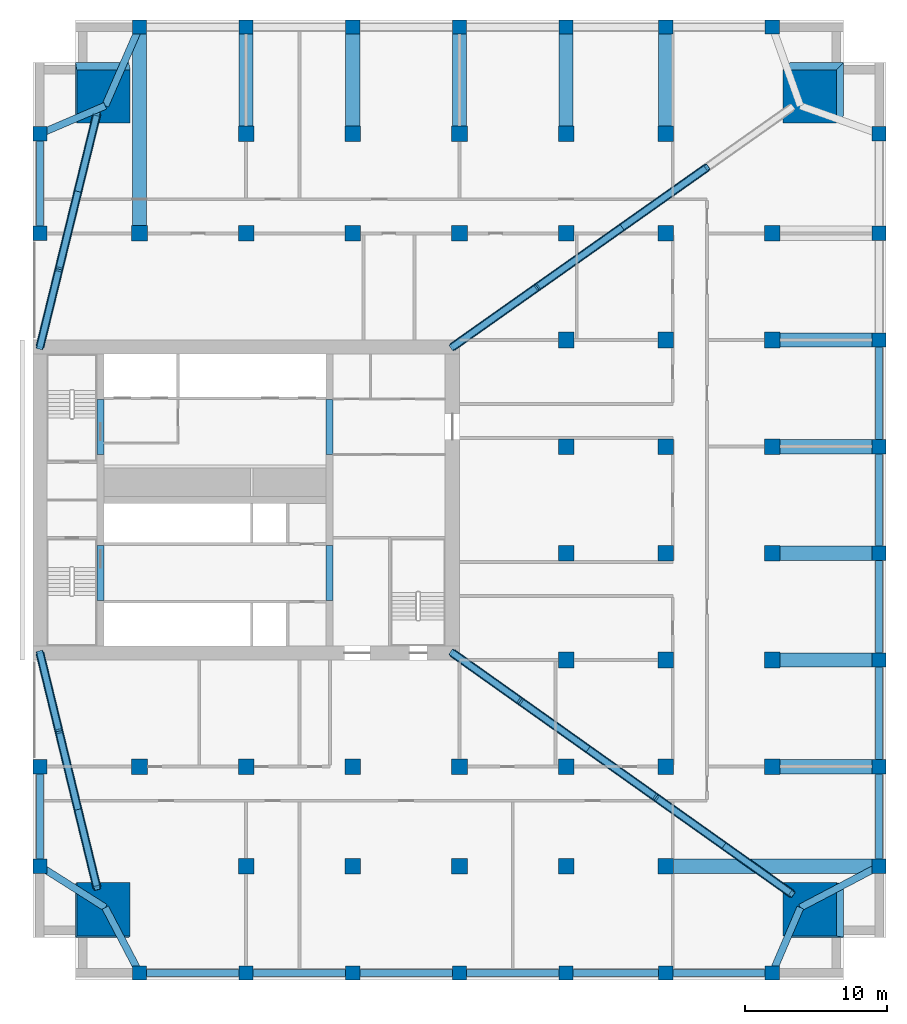
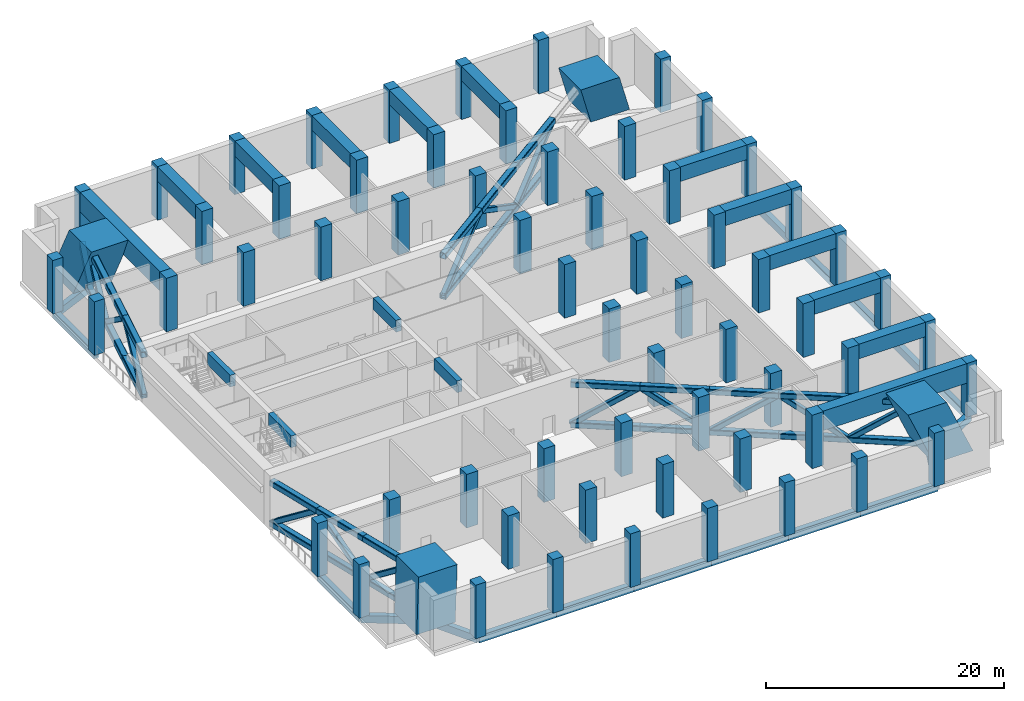
# One storey, part 1 of 10: 66 columns, 42 members, 35 beams.
"""IFC4 building model written with IfcOpenShell, lengths in metres."""

from ifc_helpers import new_model, si_unit, direction, frame, origin, origin_2d, place, context, subcontext, project, spatial, rectangle, hollow_rectangle, extrude, material, material_profile, profile_set, type_object, element, save


model = new_model("IFC4")

# Units and contexts
model_context = context("Model", 3, precision=1e-05, world=origin(), true_north=direction((0.0, 1.0)))
body_context = subcontext(model_context, "Body", "Model", "MODEL_VIEW")
ifc_project = project(units=[si_unit("LENGTHUNIT", "METRE"), si_unit("AREAUNIT", "SQUARE_METRE"), si_unit("VOLUMEUNIT", "CUBIC_METRE"), si_unit("PLANEANGLEUNIT", "RADIAN"), si_unit("MASSUNIT", "GRAM", prefix="KILO")], contexts=[model_context])

# Site, building, storey
site_placement = place(None, origin())
site = spatial("IfcSite", under=ifc_project, at=site_placement, CompositionType="ELEMENT")
building_placement = place(site_placement, origin())
building = spatial("IfcBuilding", under=site, at=building_placement, Name="Tamorin Gate", CompositionType="ELEMENT")
storey_placement = place(building_placement, frame((0.0, 0.0, 118.699951171875)))
storey = spatial("IfcBuildingStorey", under=building, at=storey_placement, Name="L29", CompositionType="ELEMENT", Elevation=118.699951171875)

# Columns
ifc_material_1 = material(Name="Concrete C80/95", Category="concrete")
ifc_material_profile_1 = material_profile(ifc_material_1, rectangle(XDim=1.0, YDim=1.0, at=origin_2d()), Name="RC 1000x1000")
ifc_profile_set_1 = profile_set([ifc_material_profile_1], Name="Concrete C80/95")
column_type_1 = type_object("IfcColumnType", Name="RC column 1000x1000 C80/95", PredefinedType="COLUMN", material=ifc_profile_set_1)
for number, where, z_axis, x_axis, name in (
    (1, (30.5, 45.5, 0.0), (0.0, 0.0, 1.0), (1.0, 0.0, 0.0), "Ring column L29"),
    (2, (30.5, 52.5, 0.0), (0.0, 0.0, 1.0), (1.0, 0.0, 0.0), "Ring column L29"),
    (3, (30.5, 90.0, 0.0), (0.0, 0.0, 1.0), (1.0, 0.0, 0.0), "Ring column L29"),
    (4, (30.5, 97.0, 0.0), (0.0, 0.0, 1.0), (1.0, 0.0, 0.0), "Ring column L29"),
    (5, (37.5, 38.0, 0.0), (0.0, 0.0, 1.0), (1.0, 0.0, 0.0), "Ring column L29"),
    (6, (37.5, 104.5, 0.0), (0.0, 0.0, 1.0), (1.0, 0.0, 0.0), "Ring column L29"),
    (7, (45.0, 38.0, 0.0), (0.0, 0.0, 1.0), (1.0, 0.0, 0.0), "Ring column L29"),
    (8, (45.0, 104.5, 0.0), (0.0, 0.0, 1.0), (1.0, 0.0, 0.0), "Ring column L29"),
    (9, (52.5, 38.0, 0.0), (0.0, 0.0, 1.0), (1.0, 0.0, 0.0), "Ring column L29"),
    (10, (52.5, 104.5, 0.0), (0.0, 0.0, 1.0), (1.0, 0.0, 0.0), "Ring column L29"),
    (11, (60.0, 38.0, 0.0), (0.0, 0.0, 1.0), (1.0, 0.0, 0.0), "Ring column L29"),
    (12, (60.0, 104.5, 0.0), (0.0, 0.0, 1.0), (1.0, 0.0, 0.0), "Ring column L29"),
    (13, (67.5, 38.0, 0.0), (0.0, 0.0, 1.0), (1.0, 0.0, 0.0), "Ring column L29"),
    (14, (67.5, 104.5, 0.0), (0.0, 0.0, 1.0), (1.0, 0.0, 0.0), "Ring column L29"),
    (15, (74.5, 38.0, 0.0), (0.0, 0.0, 1.0), (1.0, 0.0, 0.0), "Ring column L29"),
    (16, (74.5, 104.5, 0.0), (0.0, 0.0, 1.0), (1.0, 0.0, 0.0), "Ring column L29"),
    (17, (82.0, 38.0, 0.0), (0.0, 0.0, 1.0), (1.0, 0.0, 0.0), "Ring column L29"),
    (18, (82.0, 104.5, 0.0), (0.0, 0.0, 1.0), (1.0, 0.0, 0.0), "Ring column L29"),
    (19, (89.5, 45.5, 0.0), (0.0, 0.0, 1.0), (1.0, 0.0, 0.0), "Ring column L29"),
    (20, (89.5, 52.5, 0.0), (0.0, 0.0, 1.0), (1.0, 0.0, 0.0), "Ring column L29"),
    (21, (89.5, 60.0, 0.0), (0.0, 0.0, 1.0), (1.0, 0.0, 0.0), "Ring column L29"),
    (22, (89.5, 67.5, 0.0), (0.0, 0.0, 1.0), (1.0, 0.0, 0.0), "Ring column L29"),
    (23, (89.5, 75.0, 0.0), (0.0, 0.0, 1.0), (1.0, 0.0, 0.0), "Ring column L29"),
    (24, (89.5, 82.5, 0.0), (0.0, 0.0, 1.0), (1.0, 0.0, 0.0), "Ring column L29"),
    (25, (89.5, 90.0, 0.0), (0.0, 0.0, 1.0), (1.0, 0.0, 0.0), "Ring column L29"),
    (26, (89.5, 97.0, 0.0), (0.0, 0.0, 1.0), (1.0, 0.0, 0.0), "Ring column L29"),
):
    element("IfcColumn", number, at=place(storey_placement, frame(where, z_axis=z_axis, x_axis=x_axis)), inside=storey, type_object=column_type_1, Name=name, PredefinedType="COLUMN", context=body_context, shape_type="SweptSolid", body=[
        extrude(rectangle(XDim=1.0, YDim=1.0, at=origin_2d()), origin(), (0.0, 0.0, 1.0), 5.5),
    ])
ifc_material_profile_2 = material_profile(ifc_material_1, rectangle(XDim=1.10009765625, YDim=1.10009765625, at=origin_2d()), Name="RC 1100x1100")
ifc_profile_set_2 = profile_set([ifc_material_profile_2], Name="Concrete C80/95")
column_type_2 = type_object("IfcColumnType", Name="RC column 1100x1100 C80/95", PredefinedType="COLUMN", material=ifc_profile_set_2)
for number, where, z_axis, x_axis, name in (
    (27, (37.5, 52.5, 0.0), (0.0, 0.0, 1.0), (1.0, 0.0, 0.0), "Interior column L29"),
    (28, (37.5, 90.0, 0.0), (0.0, 0.0, 1.0), (1.0, 0.0, 0.0), "Interior column L29"),
    (29, (45.0, 45.5, 0.0), (0.0, 0.0, 1.0), (1.0, 0.0, 0.0), "Interior column L29"),
    (30, (45.0, 52.5, 0.0), (0.0, 0.0, 1.0), (1.0, 0.0, 0.0), "Interior column L29"),
    (31, (45.0, 90.0, 0.0), (0.0, 0.0, 1.0), (1.0, 0.0, 0.0), "Interior column L29"),
    (32, (45.0, 97.0, 0.0), (0.0, 0.0, 1.0), (1.0, 0.0, 0.0), "Interior column L29"),
    (33, (52.5, 45.5, 0.0), (0.0, 0.0, 1.0), (1.0, 0.0, 0.0), "Interior column L29"),
    (34, (52.5, 52.5, 0.0), (0.0, 0.0, 1.0), (1.0, 0.0, 0.0), "Interior column L29"),
    (35, (52.5, 90.0, 0.0), (0.0, 0.0, 1.0), (1.0, 0.0, 0.0), "Interior column L29"),
    (36, (52.5, 97.0, 0.0), (0.0, 0.0, 1.0), (1.0, 0.0, 0.0), "Interior column L29"),
    (37, (60.0, 45.5, 0.0), (0.0, 0.0, 1.0), (1.0, 0.0, 0.0), "Interior column L29"),
    (38, (60.0, 52.5, 0.0), (0.0, 0.0, 1.0), (1.0, 0.0, 0.0), "Interior column L29"),
    (39, (60.0, 90.0, 0.0), (0.0, 0.0, 1.0), (1.0, 0.0, 0.0), "Interior column L29"),
    (40, (60.0, 97.0, 0.0), (0.0, 0.0, 1.0), (1.0, 0.0, 0.0), "Interior column L29"),
    (41, (67.5, 45.5, 0.0), (0.0, 0.0, 1.0), (1.0, 0.0, 0.0), "Interior column L29"),
    (42, (67.5, 52.5, 0.0), (0.0, 0.0, 1.0), (1.0, 0.0, 0.0), "Interior column L29"),
    (43, (67.5, 60.0, 0.0), (0.0, 0.0, 1.0), (1.0, 0.0, 0.0), "Interior column L29"),
    (44, (67.5, 67.5, 0.0), (0.0, 0.0, 1.0), (1.0, 0.0, 0.0), "Interior column L29"),
    (45, (67.5, 75.0, 0.0), (0.0, 0.0, 1.0), (1.0, 0.0, 0.0), "Interior column L29"),
    (46, (67.5, 82.5, 0.0), (0.0, 0.0, 1.0), (1.0, 0.0, 0.0), "Interior column L29"),
    (47, (67.5, 90.0, 0.0), (0.0, 0.0, 1.0), (1.0, 0.0, 0.0), "Interior column L29"),
    (48, (67.5, 97.0, 0.0), (0.0, 0.0, 1.0), (1.0, 0.0, 0.0), "Interior column L29"),
    (49, (74.5, 45.5, 0.0), (0.0, 0.0, 1.0), (1.0, 0.0, 0.0), "Interior column L29"),
    (50, (74.5, 52.5, 0.0), (0.0, 0.0, 1.0), (1.0, 0.0, 0.0), "Interior column L29"),
    (51, (74.5, 60.0, 0.0), (0.0, 0.0, 1.0), (1.0, 0.0, 0.0), "Interior column L29"),
    (52, (74.5, 67.5, 0.0), (0.0, 0.0, 1.0), (1.0, 0.0, 0.0), "Interior column L29"),
    (53, (74.5, 75.0, 0.0), (0.0, 0.0, 1.0), (1.0, 0.0, 0.0), "Interior column L29"),
    (54, (74.5, 82.5, 0.0), (0.0, 0.0, 1.0), (1.0, 0.0, 0.0), "Interior column L29"),
    (55, (74.5, 90.0, 0.0), (0.0, 0.0, 1.0), (1.0, 0.0, 0.0), "Interior column L29"),
    (56, (74.5, 97.0, 0.0), (0.0, 0.0, 1.0), (1.0, 0.0, 0.0), "Interior column L29"),
    (57, (82.0, 52.5, 0.0), (0.0, 0.0, 1.0), (1.0, 0.0, 0.0), "Interior column L29"),
    (58, (82.0, 60.0, 0.0), (0.0, 0.0, 1.0), (1.0, 0.0, 0.0), "Interior column L29"),
    (59, (82.0, 67.5, 0.0), (0.0, 0.0, 1.0), (1.0, 0.0, 0.0), "Interior column L29"),
    (60, (82.0, 75.0, 0.0), (0.0, 0.0, 1.0), (1.0, 0.0, 0.0), "Interior column L29"),
    (61, (82.0, 82.5, 0.0), (0.0, 0.0, 1.0), (1.0, 0.0, 0.0), "Interior column L29"),
    (62, (82.0, 90.0, 0.0), (0.0, 0.0, 1.0), (1.0, 0.0, 0.0), "Interior column L29"),
):
    element("IfcColumn", number, at=place(storey_placement, frame(where, z_axis=z_axis, x_axis=x_axis)), inside=storey, type_object=column_type_2, Name=name, PredefinedType="COLUMN", context=body_context, shape_type="SweptSolid", body=[
        extrude(rectangle(XDim=1.10009765625, YDim=1.10009765625, at=origin_2d()), origin(), (0.0, 0.0, 1.0), 5.5),
    ])
ifc_material_profile_3 = material_profile(ifc_material_1, rectangle(XDim=3.75, YDim=3.75, at=origin_2d()), Name="RC 3750x3750")
ifc_profile_set_3 = profile_set([ifc_material_profile_3], Name="Concrete C80/95")
column_type_3 = type_object("IfcColumnType", Name="RC column 3750x3750 C80/95", PredefinedType="COLUMN", material=ifc_profile_set_3)
column_1_placement = place(storey_placement, frame((34.875, 42.375, 0.0), z_axis=(0.0, 0.0, 1.0), x_axis=(1.0, 0.0, 0.0)))
element("IfcColumn", 63, at=column_1_placement, inside=storey, type_object=column_type_3, Name="Mega column SW L29", PredefinedType="COLUMN", context=body_context, shape_type="SweptSolid", body=[
    extrude(rectangle(XDim=3.75, YDim=3.75, at=origin_2d()), origin(), (0.07904685964, 0.07904685964, 0.993731949754), 5.53466796875),
])
column_2_placement = place(storey_placement, frame((85.125, 42.375, 0.0), z_axis=(0.0, 0.0, 1.0), x_axis=(0.0, 1.0, 0.0)))
element("IfcColumn", 64, at=column_2_placement, inside=storey, type_object=column_type_3, Name="Mega column SE L29", PredefinedType="COLUMN", context=body_context, shape_type="SweptSolid", body=[
    extrude(rectangle(XDim=3.75, YDim=3.75, at=origin_2d()), origin(), (0.073131233094, 0.386550803498, 0.919364073184), 5.982421875),
])
column_3_placement = place(storey_placement, frame((34.875, 100.125, 0.0), z_axis=(0.0, 0.0, 1.0), x_axis=(0.0, -1.0, 0.0)))
element("IfcColumn", 65, at=column_3_placement, inside=storey, type_object=column_type_3, Name="Mega column NW L29", PredefinedType="COLUMN", context=body_context, shape_type="SweptSolid", body=[
    extrude(rectangle(XDim=3.75, YDim=3.75, at=origin_2d()), origin(), (0.386550803498, 0.073131233094, 0.919364073184), 5.982421875),
])
column_4_placement = place(storey_placement, frame((85.125, 100.125, 0.0), z_axis=(0.0, 0.0, 1.0), x_axis=(-1.0, 0.0, 0.0)))
element("IfcColumn", 66, at=column_4_placement, inside=storey, type_object=column_type_3, Name="Mega column NE L29", PredefinedType="COLUMN", context=body_context, shape_type="SweptSolid", body=[
    extrude(rectangle(XDim=3.75, YDim=3.75, at=origin_2d()), origin(), (0.361392925226, 0.361392925226, 0.859529119456), 6.39892578125),
])

# Beams
ifc_material_profile_4 = material_profile(ifc_material_1, rectangle(XDim=0.5, YDim=1.199951171875, at=origin_2d()), Name="RC 500x1200")
ifc_profile_set_4 = profile_set([ifc_material_profile_4], Name="Concrete C80/95")
beam_type_1 = type_object("IfcBeamType", Name="RC coupling beam 500x1200 C80/95", PredefinedType="BEAM", material=ifc_profile_set_4)
for number, where, z_axis, x_axis, name in (
    (67, (34.75, 64.199951171875, 4.900146484375), (0.0, 1.0, 0.0), (-1.0, 0.0, 0.0), "Coupling beam L29"),
    (68, (34.75, 74.449951171875, 4.900146484375), (0.0, 1.0, 0.0), (-1.0, 0.0, 0.0), "Coupling beam L29"),
    (69, (50.85009765625, 64.199951171875, 4.900146484375), (0.0, 1.0, 0.0), (-1.0, 0.0, 0.0), "Coupling beam L29"),
    (70, (50.85009765625, 74.449951171875, 4.900146484375), (0.0, 1.0, 0.0), (-1.0, 0.0, 0.0), "Coupling beam L29"),
):
    element("IfcBeam", number, at=place(storey_placement, frame(where, z_axis=z_axis, x_axis=x_axis)), inside=storey, type_object=beam_type_1, Name=name, PredefinedType="BEAM", context=body_context, shape_type="SweptSolid", body=[
        extrude(rectangle(XDim=0.5, YDim=1.199951171875, at=origin_2d()), origin(), (0.0, 0.0, 1.0), 3.85009765625),
    ])
ifc_material_2 = material(Name="Concrete C50/60", Category="concrete")
ifc_material_profile_5 = material_profile(ifc_material_2, rectangle(XDim=0.5, YDim=0.75, at=origin_2d()), Name="RC 500x750")
ifc_profile_set_5 = profile_set([ifc_material_profile_5], Name="Concrete C50/60")
beam_type_2 = type_object("IfcBeamType", Name="RC spandrel 500x750 C50/60", PredefinedType="BEAM", material=ifc_profile_set_5)
for number, where, z_axis, x_axis, name in (
    (71, (37.5, 38.0, -0.375), (1.0, 0.0, 0.0), (0.0, 1.0, 0.0), "Spandrel beam L29"),
    (72, (45.0, 38.0, -0.375), (1.0, 0.0, 0.0), (0.0, 1.0, 0.0), "Spandrel beam L29"),
    (73, (52.5, 38.0, -0.375), (1.0, 0.0, 0.0), (0.0, 1.0, 0.0), "Spandrel beam L29"),
    (74, (60.0, 38.0, -0.375), (1.0, 0.0, 0.0), (0.0, 1.0, 0.0), "Spandrel beam L29"),
):
    element("IfcBeam", number, at=place(storey_placement, frame(where, z_axis=z_axis, x_axis=x_axis)), inside=storey, type_object=beam_type_2, Name=name, PredefinedType="BEAM", context=body_context, shape_type="SweptSolid", body=[
        extrude(rectangle(XDim=0.5, YDim=0.75, at=origin_2d()), origin(), (0.0, 0.0, 1.0), 7.5),
    ])
beam_1_placement = place(storey_placement, frame((67.5, 38.0, -0.375), z_axis=(1.0, 0.0, 0.0), x_axis=(0.0, 1.0, 0.0)))
element("IfcBeam", 75, at=beam_1_placement, inside=storey, type_object=beam_type_2, Name="Spandrel beam L29", PredefinedType="BEAM", context=body_context, shape_type="SweptSolid", body=[
    extrude(rectangle(XDim=0.5, YDim=0.75, at=origin_2d()), origin(), (0.0, 0.0, 1.0), 7.0),
])
beam_2_placement = place(storey_placement, frame((74.5, 38.0, -0.375), z_axis=(1.0, 0.0, 0.0), x_axis=(0.0, 1.0, 0.0)))
element("IfcBeam", 76, at=beam_2_placement, inside=storey, type_object=beam_type_2, Name="Spandrel beam L29", PredefinedType="BEAM", context=body_context, shape_type="SweptSolid", body=[
    extrude(rectangle(XDim=0.5, YDim=0.75, at=origin_2d()), origin(), (0.0, 0.0, 1.0), 7.5),
])
beam_3_placement = place(storey_placement, frame((89.5, 45.5, -0.375), z_axis=(0.0, 1.0, 0.0), x_axis=(-1.0, 0.0, 0.0)))
element("IfcBeam", 77, at=beam_3_placement, inside=storey, type_object=beam_type_2, Name="Spandrel beam L29", PredefinedType="BEAM", context=body_context, shape_type="SweptSolid", body=[
    extrude(rectangle(XDim=0.5, YDim=0.75, at=origin_2d()), origin(), (0.0, 0.0, 1.0), 7.0),
])
for number, where, z_axis, x_axis, name in (
    (78, (89.5, 52.5, -0.375), (0.0, 1.0, 0.0), (-1.0, 0.0, 0.0), "Spandrel beam L29"),
    (79, (89.5, 60.0, -0.375), (0.0, 1.0, 0.0), (-1.0, 0.0, 0.0), "Spandrel beam L29"),
    (80, (89.5, 67.5, -0.375), (0.0, 1.0, 0.0), (-1.0, 0.0, 0.0), "Spandrel beam L29"),
    (81, (89.5, 75.0, -0.375), (0.0, 1.0, 0.0), (-1.0, 0.0, 0.0), "Spandrel beam L29"),
):
    element("IfcBeam", number, at=place(storey_placement, frame(where, z_axis=z_axis, x_axis=x_axis)), inside=storey, type_object=beam_type_2, Name=name, PredefinedType="BEAM", context=body_context, shape_type="SweptSolid", body=[
        extrude(rectangle(XDim=0.5, YDim=0.75, at=origin_2d()), origin(), (0.0, 0.0, 1.0), 7.5),
    ])
for number, where, z_axis, x_axis, name in (
    (82, (30.5, 97.0, -0.375), (0.0, -1.0, 0.0), (1.0, 0.0, 0.0), "Spandrel beam L29"),
    (83, (30.5, 52.5, -0.375), (0.0, -1.0, 0.0), (1.0, 0.0, 0.0), "Spandrel beam L29"),
):
    element("IfcBeam", number, at=place(storey_placement, frame(where, z_axis=z_axis, x_axis=x_axis)), inside=storey, type_object=beam_type_2, Name=name, PredefinedType="BEAM", context=body_context, shape_type="SweptSolid", body=[
        extrude(rectangle(XDim=0.5, YDim=0.75, at=origin_2d()), origin(), (0.0, 0.0, 1.0), 7.0),
    ])
beam_4_placement = place(storey_placement, frame((35.09375, 42.59375, -0.375), z_axis=(0.464006994671, -0.88583153528, 0.0), x_axis=(0.88583153528, 0.464006994671, 0.0)))
element("IfcBeam", 84, at=beam_4_placement, inside=storey, type_object=beam_type_2, Name="Corner tie beam L29", PredefinedType="BEAM", context=body_context, shape_type="SweptSolid", body=[
    extrude(rectangle(XDim=0.5, YDim=0.75, at=origin_2d()), origin(), (0.0, 0.0, 1.0), 5.185791015625),
])
beam_5_placement = place(storey_placement, frame((35.09375, 42.59375, -0.375), z_axis=(-0.845078836052, 0.534641712604, 0.0), x_axis=(-0.534641712604, -0.845078836052, 0.0)))
element("IfcBeam", 85, at=beam_5_placement, inside=storey, type_object=beam_type_2, Name="Corner tie beam L29", PredefinedType="BEAM", context=body_context, shape_type="SweptSolid", body=[
    extrude(rectangle(XDim=0.5, YDim=0.75, at=origin_2d()), origin(), (0.0, 0.0, 1.0), 5.435791015625),
])
beam_6_placement = place(storey_placement, frame((83.96875, 42.59375, -0.375), z_axis=(-0.393919298579, -0.919145030018, 0.0), x_axis=(0.919145030018, -0.393919298579, 0.0)))
element("IfcBeam", 86, at=beam_6_placement, inside=storey, type_object=beam_type_2, Name="Corner tie beam L29", PredefinedType="BEAM", context=body_context, shape_type="SweptSolid", body=[
    extrude(rectangle(XDim=0.5, YDim=0.75, at=origin_2d()), origin(), (0.0, 0.0, 1.0), 4.997802734375),
])
beam_7_placement = place(storey_placement, frame((83.96875, 42.59375, -0.375), z_axis=(0.885243475438, 0.465127927773, 0.0), x_axis=(-0.465127927773, 0.885243475438, 0.0)))
element("IfcBeam", 87, at=beam_7_placement, inside=storey, type_object=beam_type_2, Name="Corner tie beam L29", PredefinedType="BEAM", context=body_context, shape_type="SweptSolid", body=[
    extrude(rectangle(XDim=0.5, YDim=0.75, at=origin_2d()), origin(), (0.0, 0.0, 1.0), 6.248291015625),
])
beam_8_placement = place(storey_placement, frame((35.09375, 98.96875, -0.375), z_axis=(-0.919145030018, -0.393919298579, 0.0), x_axis=(0.393919298579, -0.919145030018, 0.0)))
element("IfcBeam", 88, at=beam_8_placement, inside=storey, type_object=beam_type_2, Name="Corner tie beam L29", PredefinedType="BEAM", context=body_context, shape_type="SweptSolid", body=[
    extrude(rectangle(XDim=0.5, YDim=0.75, at=origin_2d()), origin(), (0.0, 0.0, 1.0), 4.997802734375),
])
beam_9_placement = place(storey_placement, frame((35.09375, 98.96875, -0.375), z_axis=(0.398915541048, 0.916987672278, 0.0), x_axis=(-0.916987672278, 0.398915541048, 0.0)))
element("IfcBeam", 89, at=beam_9_placement, inside=storey, type_object=beam_type_2, Name="Corner tie beam L29", PredefinedType="BEAM", context=body_context, shape_type="SweptSolid", body=[
    extrude(rectangle(XDim=0.5, YDim=0.75, at=origin_2d()), origin(), (0.0, 0.0, 1.0), 6.031982421875),
])
ifc_material_3 = material(Name="Concrete C60/75", Category="concrete")
ifc_material_profile_6 = material_profile(ifc_material_3, rectangle(XDim=1.0, YDim=1.5, at=origin_2d()), Name="RC 1000x1500")
ifc_profile_set_6 = profile_set([ifc_material_profile_6], Name="Concrete C60/75")
beam_type_3 = type_object("IfcBeamType", Name="RC transfer girder 1000x1500 C60/75", PredefinedType="BEAM", material=ifc_profile_set_6)
for number, where, z_axis, x_axis, name in (
    (90, (45.0, 97.0, 4.75), (0.0, 1.0, 0.0), (-1.0, 0.0, 0.0), "Transfer girder L29"),
    (91, (52.5, 97.0, 4.75), (0.0, 1.0, 0.0), (-1.0, 0.0, 0.0), "Transfer girder L29"),
    (92, (60.0, 97.0, 4.75), (0.0, 1.0, 0.0), (-1.0, 0.0, 0.0), "Transfer girder L29"),
    (93, (67.5, 97.0, 4.75), (0.0, 1.0, 0.0), (-1.0, 0.0, 0.0), "Transfer girder L29"),
    (94, (74.5, 97.0, 4.75), (0.0, 1.0, 0.0), (-1.0, 0.0, 0.0), "Transfer girder L29"),
    (95, (82.0, 52.5, 4.75), (1.0, 0.0, 0.0), (0.0, 1.0, 0.0), "Transfer girder L29"),
    (96, (82.0, 60.0, 4.75), (1.0, 0.0, 0.0), (0.0, 1.0, 0.0), "Transfer girder L29"),
    (97, (82.0, 67.5, 4.75), (1.0, 0.0, 0.0), (0.0, 1.0, 0.0), "Transfer girder L29"),
    (98, (82.0, 75.0, 4.75), (1.0, 0.0, 0.0), (0.0, 1.0, 0.0), "Transfer girder L29"),
    (99, (82.0, 82.5, 4.75), (1.0, 0.0, 0.0), (0.0, 1.0, 0.0), "Transfer girder L29"),
):
    element("IfcBeam", number, at=place(storey_placement, frame(where, z_axis=z_axis, x_axis=x_axis)), inside=storey, type_object=beam_type_3, Name=name, PredefinedType="BEAM", context=body_context, shape_type="SweptSolid", body=[
        extrude(rectangle(XDim=1.0, YDim=1.5, at=origin_2d()), origin(), (0.0, 0.0, 1.0), 7.5),
    ])
ifc_material_profile_7 = material_profile(ifc_material_3, rectangle(XDim=1.0, YDim=2.0, at=origin_2d()), Name="RC 1000x2000")
ifc_profile_set_7 = profile_set([ifc_material_profile_7], Name="Concrete C60/75")
beam_type_4 = type_object("IfcBeamType", Name="RC transfer girder 1000x2000 C60/75", PredefinedType="BEAM", material=ifc_profile_set_7)
beam_10_placement = place(storey_placement, frame((37.5, 90.0, 4.5), z_axis=(0.0, 1.0, 0.0), x_axis=(-1.0, 0.0, 0.0)))
element("IfcBeam", 100, at=beam_10_placement, inside=storey, type_object=beam_type_4, Name="Transfer girder L29", PredefinedType="BEAM", context=body_context, shape_type="SweptSolid", body=[
    extrude(rectangle(XDim=1.0, YDim=2.0, at=origin_2d()), origin(), (0.0, 0.0, 1.0), 14.5),
])
beam_11_placement = place(storey_placement, frame((74.5, 45.5, 4.5), z_axis=(1.0, 0.0, 0.0), x_axis=(0.0, 1.0, 0.0)))
element("IfcBeam", 101, at=beam_11_placement, inside=storey, type_object=beam_type_4, Name="Transfer girder L29", PredefinedType="BEAM", context=body_context, shape_type="SweptSolid", body=[
    extrude(rectangle(XDim=1.0, YDim=2.0, at=origin_2d()), origin(), (0.0, 0.0, 1.0), 15.0),
])

# Members
ifc_material_4 = material(Name="Steel S355J2H", Category="steel")
ifc_material_profile_8 = material_profile(ifc_material_4, hollow_rectangle(XDim=0.60009765625, YDim=0.60009765625, WallThickness=0.0400390625, InnerFilletRadius=0.06005859375, OuterFilletRadius=0.10009765625, at=origin_2d()), Name="RHS 600x600x40")
ifc_profile_set_8 = profile_set([ifc_material_profile_8], Name="Steel S355J2H")
member_type_1 = type_object("IfcMemberType", Name="Steel chord RHS 600x600x40", PredefinedType="CHORD", material=ifc_profile_set_8)
for number, where, z_axis, x_axis, name in (
    (102, (30.5, 60.5, 0.300048828125), (0.236163563868, -0.971713317343, 0.0), (0.971713317343, 0.236163563868, 0.0), "Truss bottom chord L29"),
    (103, (30.5, 60.5, 4.449951171875), (0.236163563868, -0.971713317343, 0.0), (0.971713317343, 0.236163563868, 0.0), "Truss top chord L29"),
    (104, (31.838134765625, 54.994140625, 0.300048828125), (0.236122878708, -0.971723204493, 0.0), (0.971723204493, 0.236122878708, 0.0), "Truss bottom chord L29"),
    (105, (31.838134765625, 54.994140625, 4.449951171875), (0.236122878708, -0.971723204493, 0.0), (0.971723204493, 0.236122878708, 0.0), "Truss top chord L29"),
    (106, (33.176025390625, 49.48828125, 0.300048828125), (0.236163563868, -0.971713317343, 0.0), (0.971713317343, 0.236163563868, 0.0), "Truss bottom chord L29"),
    (107, (33.176025390625, 49.48828125, 4.449951171875), (0.236163563868, -0.971713317343, 0.0), (0.971713317343, 0.236163563868, 0.0), "Truss top chord L29"),
):
    element("IfcMember", number, at=place(storey_placement, frame(where, z_axis=z_axis, x_axis=x_axis)), inside=storey, type_object=member_type_1, Name=name, PredefinedType="CHORD", context=body_context, shape_type="SweptSolid", body=[
        extrude(hollow_rectangle(XDim=0.60009765625, YDim=0.60009765625, WallThickness=0.0400390625, InnerFilletRadius=0.06005859375, OuterFilletRadius=0.10009765625, at=origin_2d()), origin(), (0.0, 0.0, 1.0), 5.666015625),
    ])
for number, where, z_axis, x_axis, name in (
    (108, (59.5, 60.5, 0.300048828125), (0.815434755536, -0.578848995389, 0.0), (0.578848995389, 0.815434755536, 0.0), "Truss bottom chord L29"),
    (109, (59.5, 60.5, 4.449951171875), (0.815434755536, -0.578848995389, 0.0), (0.578848995389, 0.815434755536, 0.0), "Truss top chord L29"),
    (110, (64.273681640625, 57.111328125, 0.300048828125), (0.815415070771, -0.578876724665, 0.0), (0.578876724665, 0.815415070771, 0.0), "Truss bottom chord L29"),
    (111, (64.273681640625, 57.111328125, 4.449951171875), (0.815415070771, -0.578876724665, 0.0), (0.578876724665, 0.815415070771, 0.0), "Truss top chord L29"),
    (112, (69.04736328125, 53.722412109375, 0.300048828125), (0.815434755536, -0.578848995389, 0.0), (0.578848995389, 0.815434755536, 0.0), "Truss bottom chord L29"),
    (113, (69.04736328125, 53.722412109375, 4.449951171875), (0.815434755536, -0.578848995389, 0.0), (0.578848995389, 0.815434755536, 0.0), "Truss top chord L29"),
    (114, (73.821044921875, 50.333740234375, 0.300048828125), (0.815434755536, -0.578848995389, 0.0), (0.578848995389, 0.815434755536, 0.0), "Truss bottom chord L29"),
    (115, (73.821044921875, 50.333740234375, 4.449951171875), (0.815434755536, -0.578848995389, 0.0), (0.578848995389, 0.815434755536, 0.0), "Truss top chord L29"),
    (116, (78.5947265625, 46.945068359375, 0.300048828125), (0.815415070771, -0.578876724665, 0.0), (0.578876724665, 0.815415070771, 0.0), "Truss bottom chord L29"),
    (117, (78.5947265625, 46.945068359375, 4.449951171875), (0.815415070771, -0.578876724665, 0.0), (0.578876724665, 0.815415070771, 0.0), "Truss top chord L29"),
):
    element("IfcMember", number, at=place(storey_placement, frame(where, z_axis=z_axis, x_axis=x_axis)), inside=storey, type_object=member_type_1, Name=name, PredefinedType="CHORD", context=body_context, shape_type="SweptSolid", body=[
        extrude(hollow_rectangle(XDim=0.60009765625, YDim=0.60009765625, WallThickness=0.0400390625, InnerFilletRadius=0.06005859375, OuterFilletRadius=0.10009765625, at=origin_2d()), origin(), (0.0, 0.0, 1.0), 5.854248046875),
    ])
for number, where, z_axis, x_axis, name in (
    (118, (30.5, 82.0, 0.300048828125), (0.237433095275, 0.971403893995, 0.0), (-0.971403893995, 0.237433095275, 0.0), "Truss bottom chord L29"),
    (119, (30.5, 82.0, 4.449951171875), (0.237433095275, 0.971403893995, 0.0), (-0.971403893995, 0.237433095275, 0.0), "Truss top chord L29"),
    (120, (31.83740234375, 87.4716796875, 0.300048828125), (0.237382200199, 0.97141633249, 0.0), (-0.97141633249, 0.237382200199, 0.0), "Truss bottom chord L29"),
    (121, (31.83740234375, 87.4716796875, 4.449951171875), (0.237382200199, 0.97141633249, 0.0), (-0.97141633249, 0.237382200199, 0.0), "Truss top chord L29"),
    (122, (33.174560546875, 92.943603515625, 0.300048828125), (0.237433095275, 0.971403893995, 0.0), (-0.971403893995, 0.237433095275, 0.0), "Truss bottom chord L29"),
    (123, (33.174560546875, 92.943603515625, 4.449951171875), (0.237433095275, 0.971403893995, 0.0), (-0.971403893995, 0.237433095275, 0.0), "Truss top chord L29"),
):
    element("IfcMember", number, at=place(storey_placement, frame(where, z_axis=z_axis, x_axis=x_axis)), inside=storey, type_object=member_type_1, Name=name, PredefinedType="CHORD", context=body_context, shape_type="SweptSolid", body=[
        extrude(hollow_rectangle(XDim=0.60009765625, YDim=0.60009765625, WallThickness=0.0400390625, InnerFilletRadius=0.06005859375, OuterFilletRadius=0.10009765625, at=origin_2d()), origin(), (0.0, 0.0, 1.0), 5.6328125),
    ])
for number, where, z_axis, x_axis, name in (
    (124, (59.5, 82.0, 0.300048828125), (0.816970642228, 0.576679260714, 0.0), (-0.576679260714, 0.816970642228, 0.0), "Truss bottom chord L29"),
    (125, (59.5, 82.0, 4.449951171875), (0.816970642228, 0.576679260714, 0.0), (-0.576679260714, 0.816970642228, 0.0), "Truss top chord L29"),
):
    element("IfcMember", number, at=place(storey_placement, frame(where, z_axis=z_axis, x_axis=x_axis)), inside=storey, type_object=member_type_1, Name=name, PredefinedType="CHORD", context=body_context, shape_type="SweptSolid", body=[
        extrude(hollow_rectangle(XDim=0.60009765625, YDim=0.60009765625, WallThickness=0.0400390625, InnerFilletRadius=0.06005859375, OuterFilletRadius=0.10009765625, at=origin_2d()), origin(), (0.0, 0.0, 1.0), 7.30419921875),
    ])
for number, where, z_axis, x_axis, name in (
    (126, (65.46728515625, 86.212158203125, 0.300048828125), (0.816986389686, 0.57665695094, 0.0), (-0.57665695094, 0.816986389686, 0.0), "Truss bottom chord L29"),
    (127, (65.46728515625, 86.212158203125, 4.449951171875), (0.816986389686, 0.57665695094, 0.0), (-0.57665695094, 0.816986389686, 0.0), "Truss top chord L29"),
    (128, (71.4345703125, 90.424072265625, 0.300048828125), (0.816959526033, 0.576695008496, 0.0), (-0.576695008496, 0.816959526033, 0.0), "Truss bottom chord L29"),
    (129, (71.4345703125, 90.424072265625, 4.449951171875), (0.816959526033, 0.576695008496, 0.0), (-0.576695008496, 0.816959526033, 0.0), "Truss top chord L29"),
):
    element("IfcMember", number, at=place(storey_placement, frame(where, z_axis=z_axis, x_axis=x_axis)), inside=storey, type_object=member_type_1, Name=name, PredefinedType="CHORD", context=body_context, shape_type="SweptSolid", body=[
        extrude(hollow_rectangle(XDim=0.60009765625, YDim=0.60009765625, WallThickness=0.0400390625, InnerFilletRadius=0.06005859375, OuterFilletRadius=0.10009765625, at=origin_2d()), origin(), (0.0, 0.0, 1.0), 7.303955078125),
    ])
ifc_material_profile_9 = material_profile(ifc_material_4, hollow_rectangle(XDim=0.5, YDim=0.5, WallThickness=0.030029296875, InnerFilletRadius=0.044921875, OuterFilletRadius=0.074951171875, at=origin_2d()), Name="RHS 500x500x30")
ifc_profile_set_9 = profile_set([ifc_material_profile_9], Name="Steel S355J2H")
member_type_2 = type_object("IfcMemberType", Name="Steel diagonal RHS 500x500x30", PredefinedType="BRACE", material=ifc_profile_set_9)
for number, where, z_axis, x_axis, name in (
    (130, (30.5, 60.5, 0.300048828125), (0.190527848868, -0.783941625193, 0.590876185927), (0.971713317343, 0.236163563868, 0.0), "Truss diagonal L29"),
    (131, (31.838134765625, 54.994140625, 4.449951171875), (0.190494348896, -0.783946816844, -0.590880099003), (0.971723204493, 0.236122878708, 0.0), "Truss diagonal L29"),
    (132, (33.176025390625, 49.48828125, 0.300048828125), (0.190527848868, -0.783941625193, 0.590876185927), (0.971713317343, 0.236163563868, 0.0), "Truss diagonal L29"),
):
    element("IfcMember", number, at=place(storey_placement, frame(where, z_axis=z_axis, x_axis=x_axis)), inside=storey, type_object=member_type_2, Name=name, PredefinedType="BRACE", context=body_context, shape_type="SweptSolid", body=[
        extrude(hollow_rectangle(XDim=0.5, YDim=0.5, WallThickness=0.030029296875, InnerFilletRadius=0.044921875, OuterFilletRadius=0.074951171875, at=origin_2d()), origin(), (0.0, 0.0, 1.0), 7.023193359375),
    ])
member_1_placement = place(storey_placement, frame((59.5, 60.5, 0.300048828125), z_axis=(0.665242675569, -0.47223282038, 0.578315092279), x_axis=(0.578848995389, 0.815434755536, 0.0)))
element("IfcMember", 133, at=member_1_placement, inside=storey, type_object=member_type_2, Name="Truss diagonal L29", PredefinedType="BRACE", context=body_context, shape_type="SweptSolid", body=[
    extrude(hollow_rectangle(XDim=0.5, YDim=0.5, WallThickness=0.030029296875, InnerFilletRadius=0.044921875, OuterFilletRadius=0.074951171875, at=origin_2d()), origin(), (0.0, 0.0, 1.0), 7.17578125),
])
member_2_placement = place(storey_placement, frame((64.273681640625, 57.111328125, 4.449951171875), z_axis=(0.665231987281, -0.472259255124, -0.578305800634), x_axis=(0.578876724665, 0.815415070771, 0.0)))
element("IfcMember", 134, at=member_2_placement, inside=storey, type_object=member_type_2, Name="Truss diagonal L29", PredefinedType="BRACE", context=body_context, shape_type="SweptSolid", body=[
    extrude(hollow_rectangle(XDim=0.5, YDim=0.5, WallThickness=0.030029296875, InnerFilletRadius=0.044921875, OuterFilletRadius=0.074951171875, at=origin_2d()), origin(), (0.0, 0.0, 1.0), 7.176025390625),
])
for number, where, z_axis, x_axis, name in (
    (135, (69.04736328125, 53.722412109375, 0.300048828125), (0.665242675569, -0.47223282038, 0.578315092279), (0.578848995389, 0.815434755536, 0.0), "Truss diagonal L29"),
    (136, (73.821044921875, 50.333740234375, 4.449951171875), (0.665242675569, -0.47223282038, -0.578315092279), (0.578848995389, 0.815434755536, 0.0), "Truss diagonal L29"),
):
    element("IfcMember", number, at=place(storey_placement, frame(where, z_axis=z_axis, x_axis=x_axis)), inside=storey, type_object=member_type_2, Name=name, PredefinedType="BRACE", context=body_context, shape_type="SweptSolid", body=[
        extrude(hollow_rectangle(XDim=0.5, YDim=0.5, WallThickness=0.030029296875, InnerFilletRadius=0.044921875, OuterFilletRadius=0.074951171875, at=origin_2d()), origin(), (0.0, 0.0, 1.0), 7.17578125),
    ])
member_3_placement = place(storey_placement, frame((78.5947265625, 46.945068359375, 0.300048828125), z_axis=(0.665231987281, -0.472259255124, 0.578305800634), x_axis=(0.578876724665, 0.815415070771, 0.0)))
element("IfcMember", 137, at=member_3_placement, inside=storey, type_object=member_type_2, Name="Truss diagonal L29", PredefinedType="BRACE", context=body_context, shape_type="SweptSolid", body=[
    extrude(hollow_rectangle(XDim=0.5, YDim=0.5, WallThickness=0.030029296875, InnerFilletRadius=0.044921875, OuterFilletRadius=0.074951171875, at=origin_2d()), origin(), (0.0, 0.0, 1.0), 7.176025390625),
])
member_4_placement = place(storey_placement, frame((30.5, 82.0, 0.300048828125), z_axis=(0.191155786106, 0.782070733519, 0.593148238817), x_axis=(-0.971403893995, 0.237433095275, 0.0)))
element("IfcMember", 138, at=member_4_placement, inside=storey, type_object=member_type_2, Name="Truss diagonal L29", PredefinedType="BRACE", context=body_context, shape_type="SweptSolid", body=[
    extrude(hollow_rectangle(XDim=0.5, YDim=0.5, WallThickness=0.030029296875, InnerFilletRadius=0.044921875, OuterFilletRadius=0.074951171875, at=origin_2d()), origin(), (0.0, 0.0, 1.0), 6.996337890625),
])
member_5_placement = place(storey_placement, frame((31.83740234375, 87.4716796875, 4.449951171875), z_axis=(0.191116949889, 0.782089501161, -0.593136007707), x_axis=(-0.97141633249, 0.237382200199, 0.0)))
element("IfcMember", 139, at=member_5_placement, inside=storey, type_object=member_type_2, Name="Truss diagonal L29", PredefinedType="BRACE", context=body_context, shape_type="SweptSolid", body=[
    extrude(hollow_rectangle(XDim=0.5, YDim=0.5, WallThickness=0.030029296875, InnerFilletRadius=0.044921875, OuterFilletRadius=0.074951171875, at=origin_2d()), origin(), (0.0, 0.0, 1.0), 6.99658203125),
])
member_6_placement = place(storey_placement, frame((33.174560546875, 92.943603515625, 0.300048828125), z_axis=(0.191155786106, 0.782070733519, 0.593148238817), x_axis=(-0.971403893995, 0.237433095275, 0.0)))
element("IfcMember", 140, at=member_6_placement, inside=storey, type_object=member_type_2, Name="Truss diagonal L29", PredefinedType="BRACE", context=body_context, shape_type="SweptSolid", body=[
    extrude(hollow_rectangle(XDim=0.5, YDim=0.5, WallThickness=0.030029296875, InnerFilletRadius=0.044921875, OuterFilletRadius=0.074951171875, at=origin_2d()), origin(), (0.0, 0.0, 1.0), 6.996337890625),
])
for number, where, z_axis, x_axis, name in (
    (141, (59.5, 82.0, 0.300048828125), (0.710328383733, 0.501403142319, 0.493992384694), (-0.576679260714, 0.816970642228, 0.0), "Truss diagonal L29"),
    (142, (65.46728515625, 86.212158203125, 4.449951171875), (0.710338734334, 0.501381386332, -0.49399958294), (-0.57665695094, 0.816986389686, 0.0), "Truss diagonal L29"),
    (143, (71.4345703125, 90.424072265625, 0.300048828125), (0.710313985098, 0.501413493102, 0.494002582493), (-0.576695008496, 0.816959526033, 0.0), "Truss diagonal L29"),
):
    element("IfcMember", number, at=place(storey_placement, frame(where, z_axis=z_axis, x_axis=x_axis)), inside=storey, type_object=member_type_2, Name=name, PredefinedType="BRACE", context=body_context, shape_type="SweptSolid", body=[
        extrude(hollow_rectangle(XDim=0.5, YDim=0.5, WallThickness=0.030029296875, InnerFilletRadius=0.044921875, OuterFilletRadius=0.074951171875, at=origin_2d()), origin(), (0.0, 0.0, 1.0), 8.400634765625),
    ])

save(model, "model.ifc")
